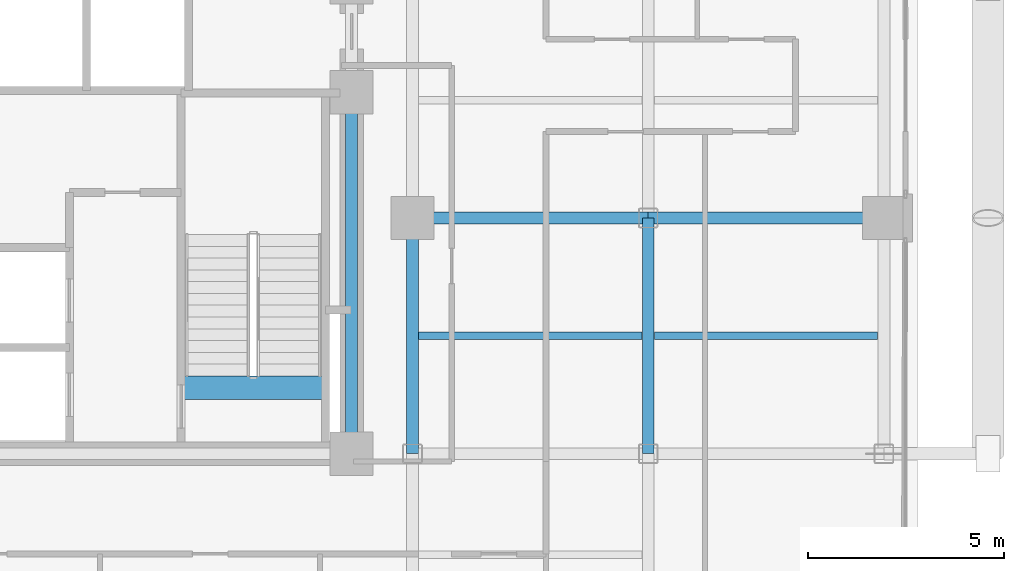
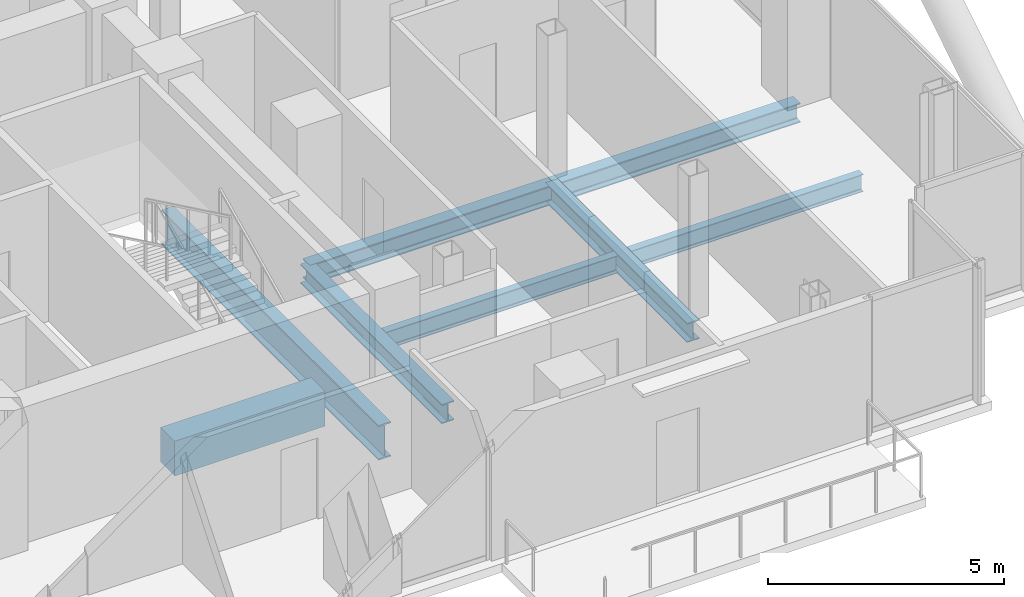
# One storey, part 11 of 28: 8 beams.
"""IFC4 building model written with IfcOpenShell, lengths in metres."""

from ifc_helpers import new_model, si_unit, direction, frame, origin, origin_2d, place, context, subcontext, project, spatial, rectangle, i_section, extrude, material, material_profile, profile_set, type_object, element, save


model = new_model("IFC4")

# Units and contexts
model_context = context("Model", 3, precision=1e-05, world=origin(), true_north=direction((0.0, 1.0)))
body_context = subcontext(model_context, "Body", "Model", "MODEL_VIEW")
ifc_project = project(units=[si_unit("LENGTHUNIT", "METRE"), si_unit("AREAUNIT", "SQUARE_METRE"), si_unit("VOLUMEUNIT", "CUBIC_METRE"), si_unit("PLANEANGLEUNIT", "RADIAN"), si_unit("MASSUNIT", "GRAM", prefix="KILO"), si_unit("THERMODYNAMICTEMPERATUREUNIT", "KELVIN"), si_unit("POWERUNIT", "WATT")], contexts=[model_context])

# Site, building, storey
site_placement = place(None, origin())
site = spatial("IfcSite", under=ifc_project, at=site_placement, CompositionType="ELEMENT")
building_placement = place(site_placement, origin())
building = spatial("IfcBuilding", under=site, at=building_placement, Name="Svarakhadi Broadcast Tower", CompositionType="ELEMENT")
storey_placement = place(building_placement, frame((0.0, 0.0, 103.35009765625)))
storey = spatial("IfcBuildingStorey", under=building, at=storey_placement, Name="L24", CompositionType="ELEMENT", Elevation=103.35009765625)

# Beams
ifc_material_1 = material(Name="Steel S355J2 (IS 2062 E350C)", Category="steel")
ifc_material_profile_1 = material_profile(ifc_material_1, i_section(OverallWidth=0.18994140625, OverallDepth=0.449951171875, WebThickness=0.009521484375, FlangeThickness=0.0146484375, FilletRadius=0.02099609375, at=origin_2d()), Name="NPB 450x190x78")
ifc_profile_set_1 = profile_set([ifc_material_profile_1], Name="Steel S355J2 (IS 2062 E350C)")
beam_type_1 = type_object("IfcBeamType", Name="Beam_NPB450", PredefinedType="BEAM", material=ifc_profile_set_1)
for number, where, z_axis, x_axis, name in (
    (1, (35.31005859375, 9.0, -0.4501953125), (1.0, 0.0, 0.0), (0.0, 1.0, 0.0), "L24 Secondary Composite Beam SB020"),
    (2, (41.31005859375, 9.0, -0.4501953125), (1.0, 0.0, 0.0), (0.0, 1.0, 0.0), "L24 Secondary Composite Beam SB022"),
):
    element("IfcBeam", number, at=place(storey_placement, frame(where, z_axis=z_axis, x_axis=x_axis)), inside=storey, type_object=beam_type_1, Name=name, PredefinedType="BEAM", context=body_context, shape_type="SweptSolid", body=[
        extrude(i_section(OverallWidth=0.18994140625, OverallDepth=0.449951171875, WebThickness=0.009521484375, FlangeThickness=0.0146484375, FilletRadius=0.02099609375, at=origin_2d()), origin(), (0.0, 0.0, 1.0), 5.679931640625),
    ])
ifc_material_2 = material(Name="Concrete C50/60 (IS 456 M60)", Category="concrete")
ifc_material_profile_2 = material_profile(ifc_material_2, rectangle(XDim=0.60009765625, YDim=0.89990234375, at=origin_2d()), Name="RC 600x900")
ifc_profile_set_2 = profile_set([ifc_material_profile_2], Name="Concrete C50/60 (IS 456 M60)")
beam_type_2 = type_object("IfcBeamType", Name="Coupling_RC600", PredefinedType="USERDEFINED", material=ifc_profile_set_2)
beam_1_placement = place(storey_placement, frame((29.260009765625, 7.679931640625, -0.4501953125), z_axis=(1.0, 0.0, 0.0), x_axis=(0.0, 1.0, 0.0)))
element("IfcBeam", 3, at=beam_1_placement, inside=storey, type_object=beam_type_2, Name="L24 Stair ST-02 Landing Throat Trimmer Beam CB-01", ObjectType="GIRDER", PredefinedType="USERDEFINED", context=body_context, shape_type="SweptSolid", body=[
    extrude(rectangle(XDim=0.60009765625, YDim=0.89990234375, at=origin_2d()), origin(), (0.0, 0.0, 1.0), 3.679931640625),
])
ifc_material_profile_3 = material_profile(ifc_material_1, i_section(OverallWidth=0.300048828125, OverallDepth=0.5, WebThickness=0.014404296875, FlangeThickness=0.028076171875, FilletRadius=0.027099609375, at=origin_2d()), Name="WPB 500x300x187")
ifc_profile_set_3 = profile_set([ifc_material_profile_3], Name="Steel S355J2 (IS 2062 E350C)")
beam_type_3 = type_object("IfcBeamType", Name="Girder_WPB500", PredefinedType="USERDEFINED", material=ifc_profile_set_3)
for number, where, z_axis, x_axis, name in (
    (4, (35.14990234375, 12.0, -0.47509765625), (1.0, 0.0, 0.0), (0.0, 1.0, 0.0), "L24 Primary E-W Girder G021"),
    (5, (41.14990234375, 12.0, -0.47509765625), (1.0, 0.0, 0.0), (0.0, 1.0, 0.0), "L24 Primary E-W Girder G022"),
    (6, (35.14990234375, 6.0, -0.47509765625), (0.0, 1.0, 0.0), (-1.0, 0.0, 0.0), "L24 Primary N-S Girder G068"),
    (7, (41.14990234375, 6.0, -0.47509765625), (0.0, 1.0, 0.0), (-1.0, 0.0, 0.0), "L24 Primary N-S Girder G071"),
):
    element("IfcBeam", number, at=place(storey_placement, frame(where, z_axis=z_axis, x_axis=x_axis)), inside=storey, type_object=beam_type_3, Name=name, ObjectType="GIRDER", PredefinedType="USERDEFINED", context=body_context, shape_type="SweptSolid", body=[
        extrude(i_section(OverallWidth=0.300048828125, OverallDepth=0.5, WebThickness=0.014404296875, FlangeThickness=0.028076171875, FilletRadius=0.027099609375, at=origin_2d()), origin(), (0.0, 0.0, 1.0), 6.0),
    ])
ifc_material_3 = material(Name="Steel S460ML (IS 2062 E450BR)", Category="steel")
ifc_material_profile_4 = material_profile(ifc_material_3, i_section(OverallWidth=0.300048828125, OverallDepth=0.89990234375, WebThickness=0.0185546875, FlangeThickness=0.034912109375, FilletRadius=0.030029296875, at=origin_2d()), Name="WPB 900x300x291")
ifc_profile_set_4 = profile_set([ifc_material_profile_4], Name="Steel S460ML (IS 2062 E450BR)")
beam_type_4 = type_object("IfcBeamType", Name="Girder_WPB900", PredefinedType="USERDEFINED", material=ifc_profile_set_4)
beam_2_placement = place(storey_placement, frame((33.60009765625, 6.0, -0.675048828125), z_axis=(0.0, 1.0, 0.0), x_axis=(-1.0, 0.0, 0.0)))
element("IfcBeam", 8, at=beam_2_placement, inside=storey, type_object=beam_type_4, Name="L24 Primary N-S Girder G065", ObjectType="GIRDER", PredefinedType="USERDEFINED", context=body_context, shape_type="SweptSolid", body=[
    extrude(i_section(OverallWidth=0.300048828125, OverallDepth=0.89990234375, WebThickness=0.0185546875, FlangeThickness=0.034912109375, FilletRadius=0.030029296875, at=origin_2d()), origin(), (0.0, 0.0, 1.0), 9.199951171875),
])

save(model, "model.ifc")
